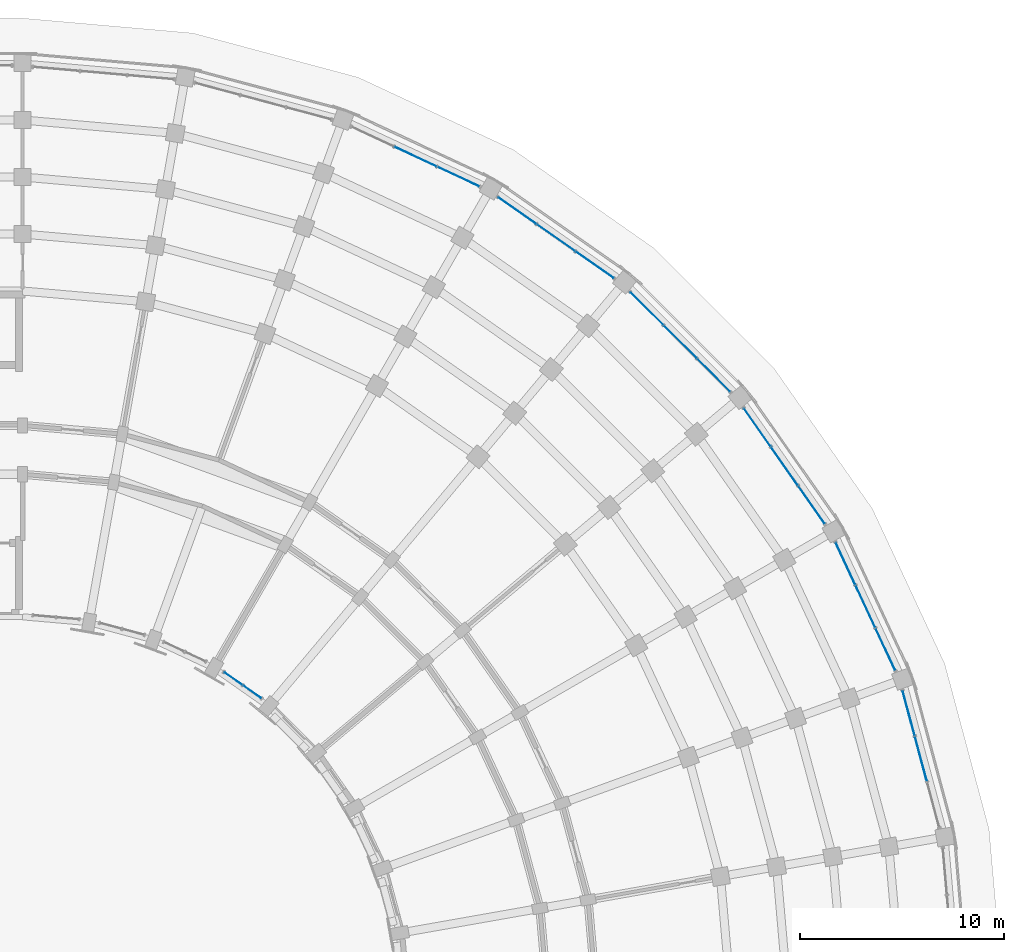
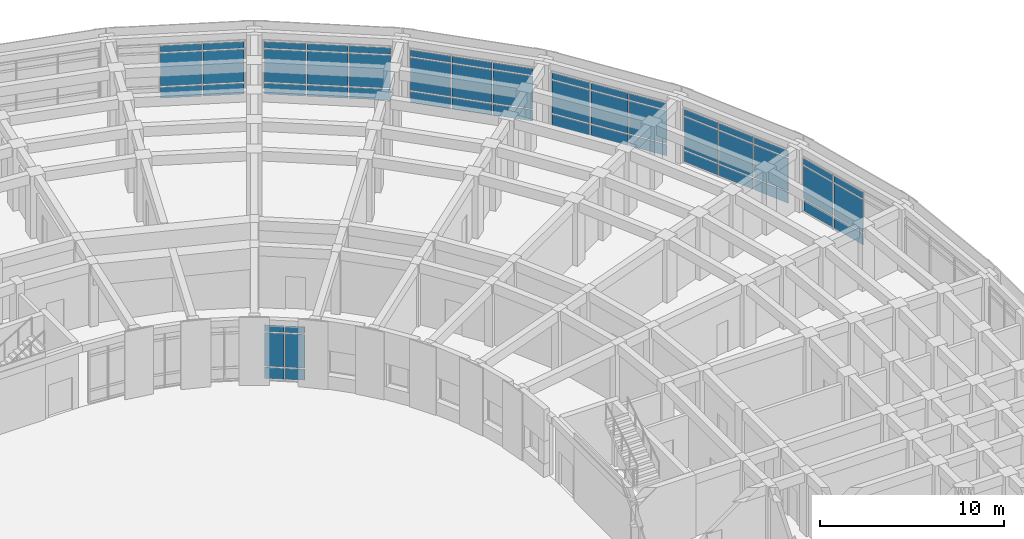
# One storey, part 72 of 135: 54 plates, 7 elements without a shape of their own.
"""IFC4 building model written with IfcOpenShell, lengths in metres."""

from ifc_helpers import new_model, si_unit, direction, frame, origin, origin_2d, place, context, subcontext, project, spatial, rectangle, extrude, material, layer, layer_set, type_object, element, aggregate, save


model = new_model("IFC4")

# Units and contexts
model_context = context("Model", 3, precision=1e-05, world=origin(), true_north=direction((0.0, 1.0)))
body_context = subcontext(model_context, "Body", "Model", "MODEL_VIEW")
ifc_project = project(units=[si_unit("LENGTHUNIT", "METRE"), si_unit("AREAUNIT", "SQUARE_METRE"), si_unit("VOLUMEUNIT", "CUBIC_METRE"), si_unit("PLANEANGLEUNIT", "RADIAN"), si_unit("MASSUNIT", "GRAM", prefix="KILO")], contexts=[model_context])

# Site, building, storey
site_placement = place(None, origin())
site = spatial("IfcSite", under=ifc_project, at=site_placement, CompositionType="ELEMENT")
building_placement = place(site_placement, origin())
building = spatial("IfcBuilding", under=site, at=building_placement, Name="Kiranvali Square Residences", CompositionType="ELEMENT")
storey_placement = place(building_placement, origin())
storey = spatial("IfcBuildingStorey", under=building, at=storey_placement, Name="L00", CompositionType="ELEMENT", Elevation=0.0)

# Curtain wall, plates
ifc_material_1 = material(Name="Anodised bronze aluminium framing", Category="aluminium")
curtain_wall_type = type_object("IfcCurtainWallType", Name="CW-RET-SHOP", PredefinedType="USERDEFINED", material=ifc_material_1)
curtain_wall_1_placement = place(storey_placement, origin())
curtain_wall_1 = element("IfcCurtainWall", 1, at=curtain_wall_1_placement, inside=storey, type_object=curtain_wall_type, Name="Block B L00 rounded-corner arcade curtain wall 3", ObjectType="CURTAIN WALL", PredefinedType="USERDEFINED")
ifc_material_2 = material(Name="Solar-control low-e double glazing", Category="glass")
ifc_layer_1 = layer(ifc_material_2, 0.028076171875)
ifc_layer_set_1 = layer_set([ifc_layer_1], Name="Solar-control low-e double glazing")
plate_type_1 = type_object("IfcPlateType", Name="PLT-CW-GLZ", PredefinedType="CURTAIN_PANEL", material=ifc_layer_set_1)
plate_1_placement = place(storey_placement, frame((139.10302734375, 129.195556640625, 0.89013671875), z_axis=(0.0, 0.0, 1.0), x_axis=(0.906307787037, -0.422618261741, 0.0)))
plate_1 = element("IfcPlate", 2, at=plate_1_placement, type_object=plate_type_1, Name="CW-B-L00-CRV-02 glazed panel 2.2", PredefinedType="CURTAIN_PANEL", context=body_context, shape_type="SweptSolid", body=[
    extrude(rectangle(XDim=2.239501953125, YDim=0.028076171875, at=origin_2d()), origin(), (0.0, 0.0, 1.0), 2.169921875),
])
plate_2_placement = place(storey_placement, frame((139.10302734375, 129.195556640625, 3.14013671875), z_axis=(0.0, 0.0, 1.0), x_axis=(0.906307787037, -0.422618261741, 0.0)))
plate_2 = element("IfcPlate", 3, at=plate_2_placement, type_object=plate_type_1, Name="CW-B-L00-CRV-02 glazed panel 2.3", PredefinedType="CURTAIN_PANEL", context=body_context, shape_type="SweptSolid", body=[
    extrude(rectangle(XDim=2.239501953125, YDim=0.028076171875, at=origin_2d()), origin(), (0.0, 0.0, 1.0), 0.429931640625),
])
plate_3_placement = place(storey_placement, frame((141.205078125, 128.21533203125, 0.89013671875), z_axis=(0.0, 0.0, 1.0), x_axis=(0.906307787037, -0.422618261741, 0.0)))
plate_3 = element("IfcPlate", 4, at=plate_3_placement, type_object=plate_type_1, Name="CW-B-L00-CRV-02 glazed panel 3.2", PredefinedType="CURTAIN_PANEL", context=body_context, shape_type="SweptSolid", body=[
    extrude(rectangle(XDim=2.239501953125, YDim=0.028076171875, at=origin_2d()), origin(), (0.0, 0.0, 1.0), 2.169921875),
])
plate_4_placement = place(storey_placement, frame((141.205078125, 128.21533203125, 3.14013671875), z_axis=(0.0, 0.0, 1.0), x_axis=(0.906307787037, -0.422618261741, 0.0)))
plate_4 = element("IfcPlate", 5, at=plate_4_placement, type_object=plate_type_1, Name="CW-B-L00-CRV-02 glazed panel 3.3", PredefinedType="CURTAIN_PANEL", context=body_context, shape_type="SweptSolid", body=[
    extrude(rectangle(XDim=2.239501953125, YDim=0.028076171875, at=origin_2d()), origin(), (0.0, 0.0, 1.0), 0.429931640625),
])

curtain_wall_2_placement = place(storey_placement, origin())
curtain_wall_2 = element("IfcCurtainWall", 6, at=curtain_wall_2_placement, inside=storey, type_object=curtain_wall_type, Name="Block B L00 rounded-corner arcade curtain wall 4", ObjectType="CURTAIN WALL", PredefinedType="USERDEFINED")
plate_5_placement = place(storey_placement, frame((144.09814453125, 126.545166015625, 0.89013671875), z_axis=(0.0, 0.0, 1.0), x_axis=(0.819152044289, -0.573576436351, 0.0)))
plate_5 = element("IfcPlate", 7, at=plate_5_placement, type_object=plate_type_1, Name="CW-B-L00-CRV-03 glazed panel 1.2", PredefinedType="CURTAIN_PANEL", context=body_context, shape_type="SweptSolid", body=[
    extrude(rectangle(XDim=2.239501953125, YDim=0.028076171875, at=origin_2d()), origin(), (0.0, 0.0, 1.0), 2.169921875),
])
plate_6_placement = place(storey_placement, frame((144.09814453125, 126.545166015625, 3.14013671875), z_axis=(0.0, 0.0, 1.0), x_axis=(0.819152044289, -0.573576436351, 0.0)))
plate_6 = element("IfcPlate", 8, at=plate_6_placement, type_object=plate_type_1, Name="CW-B-L00-CRV-03 glazed panel 1.3", PredefinedType="CURTAIN_PANEL", context=body_context, shape_type="SweptSolid", body=[
    extrude(rectangle(XDim=2.239501953125, YDim=0.028076171875, at=origin_2d()), origin(), (0.0, 0.0, 1.0), 0.429931640625),
])
plate_7_placement = place(storey_placement, frame((145.998046875, 125.21484375, 0.89013671875), z_axis=(0.0, 0.0, 1.0), x_axis=(0.819152044289, -0.573576436351, 0.0)))
plate_7 = element("IfcPlate", 9, at=plate_7_placement, type_object=plate_type_1, Name="CW-B-L00-CRV-03 glazed panel 2.2", PredefinedType="CURTAIN_PANEL", context=body_context, shape_type="SweptSolid", body=[
    extrude(rectangle(XDim=2.239501953125, YDim=0.028076171875, at=origin_2d()), origin(), (0.0, 0.0, 1.0), 2.169921875),
])
plate_8_placement = place(storey_placement, frame((145.998046875, 125.21484375, 3.14013671875), z_axis=(0.0, 0.0, 1.0), x_axis=(0.819152044289, -0.573576436351, 0.0)))
plate_8 = element("IfcPlate", 10, at=plate_8_placement, type_object=plate_type_1, Name="CW-B-L00-CRV-03 glazed panel 2.3", PredefinedType="CURTAIN_PANEL", context=body_context, shape_type="SweptSolid", body=[
    extrude(rectangle(XDim=2.239501953125, YDim=0.028076171875, at=origin_2d()), origin(), (0.0, 0.0, 1.0), 0.429931640625),
])
plate_9_placement = place(storey_placement, frame((147.89794921875, 123.88427734375, 0.89013671875), z_axis=(0.0, 0.0, 1.0), x_axis=(0.819152044289, -0.573576436351, 0.0)))
plate_9 = element("IfcPlate", 11, at=plate_9_placement, type_object=plate_type_1, Name="CW-B-L00-CRV-03 glazed panel 3.2", PredefinedType="CURTAIN_PANEL", context=body_context, shape_type="SweptSolid", body=[
    extrude(rectangle(XDim=2.239501953125, YDim=0.028076171875, at=origin_2d()), origin(), (0.0, 0.0, 1.0), 2.169921875),
])
plate_10_placement = place(storey_placement, frame((147.89794921875, 123.88427734375, 3.14013671875), z_axis=(0.0, 0.0, 1.0), x_axis=(0.819152044289, -0.573576436351, 0.0)))
plate_10 = element("IfcPlate", 12, at=plate_10_placement, type_object=plate_type_1, Name="CW-B-L00-CRV-03 glazed panel 3.3", PredefinedType="CURTAIN_PANEL", context=body_context, shape_type="SweptSolid", body=[
    extrude(rectangle(XDim=2.239501953125, YDim=0.028076171875, at=origin_2d()), origin(), (0.0, 0.0, 1.0), 0.429931640625),
])

curtain_wall_3_placement = place(storey_placement, origin())
curtain_wall_3 = element("IfcCurtainWall", 13, at=curtain_wall_3_placement, inside=storey, type_object=curtain_wall_type, Name="Block B L00 rounded-corner arcade curtain wall 5", ObjectType="CURTAIN WALL", PredefinedType="USERDEFINED")
plate_11_placement = place(storey_placement, frame((150.45703125, 121.737060546875, 0.89013671875), z_axis=(0.0, 0.0, 1.0), x_axis=(0.707106781187, -0.707106781187, 0.0)))
plate_11 = element("IfcPlate", 14, at=plate_11_placement, type_object=plate_type_1, Name="CW-B-L00-CRV-04 glazed panel 1.2", PredefinedType="CURTAIN_PANEL", context=body_context, shape_type="SweptSolid", body=[
    extrude(rectangle(XDim=2.239501953125, YDim=0.028076171875, at=origin_2d()), origin(), (0.0, 0.0, 1.0), 2.169921875),
])
plate_12_placement = place(storey_placement, frame((150.45703125, 121.737060546875, 3.14013671875), z_axis=(0.0, 0.0, 1.0), x_axis=(0.707106781187, -0.707106781187, 0.0)))
plate_12 = element("IfcPlate", 15, at=plate_12_placement, type_object=plate_type_1, Name="CW-B-L00-CRV-04 glazed panel 1.3", PredefinedType="CURTAIN_PANEL", context=body_context, shape_type="SweptSolid", body=[
    extrude(rectangle(XDim=2.239501953125, YDim=0.028076171875, at=origin_2d()), origin(), (0.0, 0.0, 1.0), 0.429931640625),
])
plate_13_placement = place(storey_placement, frame((152.09716796875, 120.09716796875, 0.89013671875), z_axis=(0.0, 0.0, 1.0), x_axis=(0.707106781187, -0.707106781187, 0.0)))
plate_13 = element("IfcPlate", 16, at=plate_13_placement, type_object=plate_type_1, Name="CW-B-L00-CRV-04 glazed panel 2.2", PredefinedType="CURTAIN_PANEL", context=body_context, shape_type="SweptSolid", body=[
    extrude(rectangle(XDim=2.239501953125, YDim=0.028076171875, at=origin_2d()), origin(), (0.0, 0.0, 1.0), 2.169921875),
])
plate_14_placement = place(storey_placement, frame((152.09716796875, 120.09716796875, 3.14013671875), z_axis=(0.0, 0.0, 1.0), x_axis=(0.707106781187, -0.707106781187, 0.0)))
plate_14 = element("IfcPlate", 17, at=plate_14_placement, type_object=plate_type_1, Name="CW-B-L00-CRV-04 glazed panel 2.3", PredefinedType="CURTAIN_PANEL", context=body_context, shape_type="SweptSolid", body=[
    extrude(rectangle(XDim=2.239501953125, YDim=0.028076171875, at=origin_2d()), origin(), (0.0, 0.0, 1.0), 0.429931640625),
])
plate_15_placement = place(storey_placement, frame((153.737060546875, 118.45703125, 0.89013671875), z_axis=(0.0, 0.0, 1.0), x_axis=(0.707106781187, -0.707106781187, 0.0)))
plate_15 = element("IfcPlate", 18, at=plate_15_placement, type_object=plate_type_1, Name="CW-B-L00-CRV-04 glazed panel 3.2", PredefinedType="CURTAIN_PANEL", context=body_context, shape_type="SweptSolid", body=[
    extrude(rectangle(XDim=2.239501953125, YDim=0.028076171875, at=origin_2d()), origin(), (0.0, 0.0, 1.0), 2.169921875),
])
plate_16_placement = place(storey_placement, frame((153.737060546875, 118.45703125, 3.14013671875), z_axis=(0.0, 0.0, 1.0), x_axis=(0.707106781187, -0.707106781187, 0.0)))
plate_16 = element("IfcPlate", 19, at=plate_16_placement, type_object=plate_type_1, Name="CW-B-L00-CRV-04 glazed panel 3.3", PredefinedType="CURTAIN_PANEL", context=body_context, shape_type="SweptSolid", body=[
    extrude(rectangle(XDim=2.239501953125, YDim=0.028076171875, at=origin_2d()), origin(), (0.0, 0.0, 1.0), 0.429931640625),
])

curtain_wall_4_placement = place(storey_placement, origin())
curtain_wall_4 = element("IfcCurtainWall", 20, at=curtain_wall_4_placement, inside=storey, type_object=curtain_wall_type, Name="Block B L00 rounded-corner arcade curtain wall 6", ObjectType="CURTAIN WALL", PredefinedType="USERDEFINED")
plate_17_placement = place(storey_placement, frame((155.88427734375, 115.89794921875, 0.89013671875), z_axis=(0.0, 0.0, 1.0), x_axis=(0.573576436351, -0.819152044289, 0.0)))
plate_17 = element("IfcPlate", 21, at=plate_17_placement, type_object=plate_type_1, Name="CW-B-L00-CRV-05 glazed panel 1.2", PredefinedType="CURTAIN_PANEL", context=body_context, shape_type="SweptSolid", body=[
    extrude(rectangle(XDim=2.239501953125, YDim=0.028076171875, at=origin_2d()), origin(), (0.0, 0.0, 1.0), 2.169921875),
])
plate_18_placement = place(storey_placement, frame((155.88427734375, 115.89794921875, 3.14013671875), z_axis=(0.0, 0.0, 1.0), x_axis=(0.573576436351, -0.819152044289, 0.0)))
plate_18 = element("IfcPlate", 22, at=plate_18_placement, type_object=plate_type_1, Name="CW-B-L00-CRV-05 glazed panel 1.3", PredefinedType="CURTAIN_PANEL", context=body_context, shape_type="SweptSolid", body=[
    extrude(rectangle(XDim=2.239501953125, YDim=0.028076171875, at=origin_2d()), origin(), (0.0, 0.0, 1.0), 0.429931640625),
])
plate_19_placement = place(storey_placement, frame((157.21484375, 113.998046875, 0.89013671875), z_axis=(0.0, 0.0, 1.0), x_axis=(0.573576436351, -0.819152044289, 0.0)))
plate_19 = element("IfcPlate", 23, at=plate_19_placement, type_object=plate_type_1, Name="CW-B-L00-CRV-05 glazed panel 2.2", PredefinedType="CURTAIN_PANEL", context=body_context, shape_type="SweptSolid", body=[
    extrude(rectangle(XDim=2.239501953125, YDim=0.028076171875, at=origin_2d()), origin(), (0.0, 0.0, 1.0), 2.169921875),
])
plate_20_placement = place(storey_placement, frame((157.21484375, 113.998046875, 3.14013671875), z_axis=(0.0, 0.0, 1.0), x_axis=(0.573576436351, -0.819152044289, 0.0)))
plate_20 = element("IfcPlate", 24, at=plate_20_placement, type_object=plate_type_1, Name="CW-B-L00-CRV-05 glazed panel 2.3", PredefinedType="CURTAIN_PANEL", context=body_context, shape_type="SweptSolid", body=[
    extrude(rectangle(XDim=2.239501953125, YDim=0.028076171875, at=origin_2d()), origin(), (0.0, 0.0, 1.0), 0.429931640625),
])
plate_21_placement = place(storey_placement, frame((158.545166015625, 112.09814453125, 0.89013671875), z_axis=(0.0, 0.0, 1.0), x_axis=(0.573576436351, -0.819152044289, 0.0)))
plate_21 = element("IfcPlate", 25, at=plate_21_placement, type_object=plate_type_1, Name="CW-B-L00-CRV-05 glazed panel 3.2", PredefinedType="CURTAIN_PANEL", context=body_context, shape_type="SweptSolid", body=[
    extrude(rectangle(XDim=2.239501953125, YDim=0.028076171875, at=origin_2d()), origin(), (0.0, 0.0, 1.0), 2.169921875),
])
plate_22_placement = place(storey_placement, frame((158.545166015625, 112.09814453125, 3.14013671875), z_axis=(0.0, 0.0, 1.0), x_axis=(0.573576436351, -0.819152044289, 0.0)))
plate_22 = element("IfcPlate", 26, at=plate_22_placement, type_object=plate_type_1, Name="CW-B-L00-CRV-05 glazed panel 3.3", PredefinedType="CURTAIN_PANEL", context=body_context, shape_type="SweptSolid", body=[
    extrude(rectangle(XDim=2.239501953125, YDim=0.028076171875, at=origin_2d()), origin(), (0.0, 0.0, 1.0), 0.429931640625),
])

curtain_wall_5_placement = place(storey_placement, origin())
curtain_wall_5 = element("IfcCurtainWall", 27, at=curtain_wall_5_placement, inside=storey, type_object=curtain_wall_type, Name="Block B L00 rounded-corner arcade curtain wall 7", ObjectType="CURTAIN WALL", PredefinedType="USERDEFINED")
plate_23_placement = place(storey_placement, frame((160.21533203125, 109.205078125, 0.89013671875), z_axis=(0.0, 0.0, 1.0), x_axis=(0.422618261741, -0.906307787037, 0.0)))
plate_23 = element("IfcPlate", 28, at=plate_23_placement, type_object=plate_type_1, Name="CW-B-L00-CRV-06 glazed panel 1.2", PredefinedType="CURTAIN_PANEL", context=body_context, shape_type="SweptSolid", body=[
    extrude(rectangle(XDim=2.239501953125, YDim=0.028076171875, at=origin_2d()), origin(), (0.0, 0.0, 1.0), 2.169921875),
])
plate_24_placement = place(storey_placement, frame((160.21533203125, 109.205078125, 3.14013671875), z_axis=(0.0, 0.0, 1.0), x_axis=(0.422618261741, -0.906307787037, 0.0)))
plate_24 = element("IfcPlate", 29, at=plate_24_placement, type_object=plate_type_1, Name="CW-B-L00-CRV-06 glazed panel 1.3", PredefinedType="CURTAIN_PANEL", context=body_context, shape_type="SweptSolid", body=[
    extrude(rectangle(XDim=2.239501953125, YDim=0.028076171875, at=origin_2d()), origin(), (0.0, 0.0, 1.0), 0.429931640625),
])
plate_25_placement = place(storey_placement, frame((161.195556640625, 107.10302734375, 0.89013671875), z_axis=(0.0, 0.0, 1.0), x_axis=(0.422618261741, -0.906307787037, 0.0)))
plate_25 = element("IfcPlate", 30, at=plate_25_placement, type_object=plate_type_1, Name="CW-B-L00-CRV-06 glazed panel 2.2", PredefinedType="CURTAIN_PANEL", context=body_context, shape_type="SweptSolid", body=[
    extrude(rectangle(XDim=2.239501953125, YDim=0.028076171875, at=origin_2d()), origin(), (0.0, 0.0, 1.0), 2.169921875),
])
plate_26_placement = place(storey_placement, frame((161.195556640625, 107.10302734375, 3.14013671875), z_axis=(0.0, 0.0, 1.0), x_axis=(0.422618261741, -0.906307787037, 0.0)))
plate_26 = element("IfcPlate", 31, at=plate_26_placement, type_object=plate_type_1, Name="CW-B-L00-CRV-06 glazed panel 2.3", PredefinedType="CURTAIN_PANEL", context=body_context, shape_type="SweptSolid", body=[
    extrude(rectangle(XDim=2.239501953125, YDim=0.028076171875, at=origin_2d()), origin(), (0.0, 0.0, 1.0), 0.429931640625),
])
plate_27_placement = place(storey_placement, frame((162.17578125, 105.0009765625, 0.89013671875), z_axis=(0.0, 0.0, 1.0), x_axis=(0.422618261741, -0.906307787037, 0.0)))
plate_27 = element("IfcPlate", 32, at=plate_27_placement, type_object=plate_type_1, Name="CW-B-L00-CRV-06 glazed panel 3.2", PredefinedType="CURTAIN_PANEL", context=body_context, shape_type="SweptSolid", body=[
    extrude(rectangle(XDim=2.239501953125, YDim=0.028076171875, at=origin_2d()), origin(), (0.0, 0.0, 1.0), 2.169921875),
])
plate_28_placement = place(storey_placement, frame((162.17578125, 105.0009765625, 3.14013671875), z_axis=(0.0, 0.0, 1.0), x_axis=(0.422618261741, -0.906307787037, 0.0)))
plate_28 = element("IfcPlate", 33, at=plate_28_placement, type_object=plate_type_1, Name="CW-B-L00-CRV-06 glazed panel 3.3", PredefinedType="CURTAIN_PANEL", context=body_context, shape_type="SweptSolid", body=[
    extrude(rectangle(XDim=2.239501953125, YDim=0.028076171875, at=origin_2d()), origin(), (0.0, 0.0, 1.0), 0.429931640625),
])

curtain_wall_6_placement = place(storey_placement, origin())
curtain_wall_6 = element("IfcCurtainWall", 34, at=curtain_wall_6_placement, inside=storey, type_object=curtain_wall_type, Name="Block B L00 rounded-corner arcade curtain wall 8", ObjectType="CURTAIN WALL", PredefinedType="USERDEFINED")
plate_29_placement = place(storey_placement, frame((163.318359375, 101.862060546875, 0.89013671875), z_axis=(0.0, 0.0, 1.0), x_axis=(0.258819045103, -0.965925826289, 0.0)))
plate_29 = element("IfcPlate", 35, at=plate_29_placement, type_object=plate_type_1, Name="CW-B-L00-CRV-07 glazed panel 1.2", PredefinedType="CURTAIN_PANEL", context=body_context, shape_type="SweptSolid", body=[
    extrude(rectangle(XDim=2.239501953125, YDim=0.028076171875, at=origin_2d()), origin(), (0.0, 0.0, 1.0), 2.169921875),
])
plate_30_placement = place(storey_placement, frame((163.318359375, 101.862060546875, 3.14013671875), z_axis=(0.0, 0.0, 1.0), x_axis=(0.258819045103, -0.965925826289, 0.0)))
plate_30 = element("IfcPlate", 36, at=plate_30_placement, type_object=plate_type_1, Name="CW-B-L00-CRV-07 glazed panel 1.3", PredefinedType="CURTAIN_PANEL", context=body_context, shape_type="SweptSolid", body=[
    extrude(rectangle(XDim=2.239501953125, YDim=0.028076171875, at=origin_2d()), origin(), (0.0, 0.0, 1.0), 0.429931640625),
])
plate_31_placement = place(storey_placement, frame((163.918701171875, 99.62158203125, 0.89013671875), z_axis=(0.0, 0.0, 1.0), x_axis=(0.258819045103, -0.965925826289, 0.0)))
plate_31 = element("IfcPlate", 37, at=plate_31_placement, type_object=plate_type_1, Name="CW-B-L00-CRV-07 glazed panel 2.2", PredefinedType="CURTAIN_PANEL", context=body_context, shape_type="SweptSolid", body=[
    extrude(rectangle(XDim=2.239501953125, YDim=0.028076171875, at=origin_2d()), origin(), (0.0, 0.0, 1.0), 2.169921875),
])
plate_32_placement = place(storey_placement, frame((163.918701171875, 99.62158203125, 3.14013671875), z_axis=(0.0, 0.0, 1.0), x_axis=(0.258819045103, -0.965925826289, 0.0)))
plate_32 = element("IfcPlate", 38, at=plate_32_placement, type_object=plate_type_1, Name="CW-B-L00-CRV-07 glazed panel 2.3", PredefinedType="CURTAIN_PANEL", context=body_context, shape_type="SweptSolid", body=[
    extrude(rectangle(XDim=2.239501953125, YDim=0.028076171875, at=origin_2d()), origin(), (0.0, 0.0, 1.0), 0.429931640625),
])

curtain_wall_7_placement = place(storey_placement, origin())
curtain_wall_7 = element("IfcCurtainWall", 39, at=curtain_wall_7_placement, inside=storey, type_object=curtain_wall_type, Name="Block B L00 garden foyer curtain wall 4", ObjectType="CURTAIN WALL", PredefinedType="USERDEFINED")
plate_33_placement = place(storey_placement, frame((130.144775390625, 103.566162109375, 0.89013671875), z_axis=(0.0, 0.0, 1.0), x_axis=(0.819152044289, -0.573576436351, 0.0)))
plate_33 = element("IfcPlate", 40, at=plate_33_placement, type_object=plate_type_1, Name="CW-B-L00-GDN-03 glazed panel 1.2", PredefinedType="CURTAIN_PANEL", context=body_context, shape_type="SweptSolid", body=[
    extrude(rectangle(XDim=1.05859375, YDim=0.028076171875, at=origin_2d()), origin(), (0.0, 0.0, 1.0), 2.219970703125),
])
plate_34_placement = place(storey_placement, frame((130.144775390625, 103.566162109375, 3.18994140625), z_axis=(0.0, 0.0, 1.0), x_axis=(0.819152044289, -0.573576436351, 0.0)))
plate_34 = element("IfcPlate", 41, at=plate_34_placement, type_object=plate_type_1, Name="CW-B-L00-GDN-03 glazed panel 1.3", PredefinedType="CURTAIN_PANEL", context=body_context, shape_type="SweptSolid", body=[
    extrude(rectangle(XDim=1.05859375, YDim=0.028076171875, at=origin_2d()), origin(), (0.0, 0.0, 1.0), 0.429931640625),
])
plate_35_placement = place(storey_placement, frame((131.077392578125, 102.913330078125, 0.89013671875), z_axis=(0.0, 0.0, 1.0), x_axis=(0.819152044289, -0.573576436351, 0.0)))
plate_35 = element("IfcPlate", 42, at=plate_35_placement, type_object=plate_type_1, Name="CW-B-L00-GDN-03 glazed panel 2.2", PredefinedType="CURTAIN_PANEL", context=body_context, shape_type="SweptSolid", body=[
    extrude(rectangle(XDim=1.05859375, YDim=0.028076171875, at=origin_2d()), origin(), (0.0, 0.0, 1.0), 2.219970703125),
])
plate_36_placement = place(storey_placement, frame((131.077392578125, 102.913330078125, 3.18994140625), z_axis=(0.0, 0.0, 1.0), x_axis=(0.819152044289, -0.573576436351, 0.0)))
plate_36 = element("IfcPlate", 43, at=plate_36_placement, type_object=plate_type_1, Name="CW-B-L00-GDN-03 glazed panel 2.3", PredefinedType="CURTAIN_PANEL", context=body_context, shape_type="SweptSolid", body=[
    extrude(rectangle(XDim=1.05859375, YDim=0.028076171875, at=origin_2d()), origin(), (0.0, 0.0, 1.0), 0.429931640625),
])

# Plate
ifc_material_3 = material(Name="Honed Porbandar limestone ashlar facade cladding", Category="masonry")
ifc_layer_2 = layer(ifc_material_3, 0.02392578125)
ifc_layer_set_2 = layer_set([ifc_layer_2], Name="Honed Porbandar limestone ashlar facade cladding")
plate_type_2 = type_object("IfcPlateType", Name="PLT-CW-SPN", PredefinedType="SHEET", material=ifc_layer_set_2)
plate_37_placement = place(storey_placement, frame((139.10302734375, 129.195556640625, 0.080078125), z_axis=(0.0, 0.0, 1.0), x_axis=(0.906307787037, -0.422618261741, 0.0)))
plate_37 = element("IfcPlate", 44, at=plate_37_placement, type_object=plate_type_2, Name="CW-B-L00-CRV-02 spandrel panel 2.1", PredefinedType="SHEET", context=body_context, shape_type="SweptSolid", body=[
    extrude(rectangle(XDim=2.239501953125, YDim=0.02392578125, at=origin_2d()), origin(), (0.0, 0.0, 1.0), 0.72998046875),
])

plate_38_placement = place(storey_placement, frame((141.205078125, 128.21533203125, 0.080078125), z_axis=(0.0, 0.0, 1.0), x_axis=(0.906307787037, -0.422618261741, 0.0)))
plate_38 = element("IfcPlate", 45, at=plate_38_placement, type_object=plate_type_2, Name="CW-B-L00-CRV-02 spandrel panel 3.1", PredefinedType="SHEET", context=body_context, shape_type="SweptSolid", body=[
    extrude(rectangle(XDim=2.239501953125, YDim=0.02392578125, at=origin_2d()), origin(), (0.0, 0.0, 1.0), 0.72998046875),
])

aggregate(curtain_wall_1, [plate_37, plate_1, plate_2, plate_38, plate_3, plate_4])

plate_39_placement = place(storey_placement, frame((144.09814453125, 126.545166015625, 0.080078125), z_axis=(0.0, 0.0, 1.0), x_axis=(0.819152044289, -0.573576436351, 0.0)))
plate_39 = element("IfcPlate", 46, at=plate_39_placement, type_object=plate_type_2, Name="CW-B-L00-CRV-03 spandrel panel 1.1", PredefinedType="SHEET", context=body_context, shape_type="SweptSolid", body=[
    extrude(rectangle(XDim=2.239501953125, YDim=0.02392578125, at=origin_2d()), origin(), (0.0, 0.0, 1.0), 0.72998046875),
])

plate_40_placement = place(storey_placement, frame((145.998046875, 125.21484375, 0.080078125), z_axis=(0.0, 0.0, 1.0), x_axis=(0.819152044289, -0.573576436351, 0.0)))
plate_40 = element("IfcPlate", 47, at=plate_40_placement, type_object=plate_type_2, Name="CW-B-L00-CRV-03 spandrel panel 2.1", PredefinedType="SHEET", context=body_context, shape_type="SweptSolid", body=[
    extrude(rectangle(XDim=2.239501953125, YDim=0.02392578125, at=origin_2d()), origin(), (0.0, 0.0, 1.0), 0.72998046875),
])

plate_41_placement = place(storey_placement, frame((147.89794921875, 123.88427734375, 0.080078125), z_axis=(0.0, 0.0, 1.0), x_axis=(0.819152044289, -0.573576436351, 0.0)))
plate_41 = element("IfcPlate", 48, at=plate_41_placement, type_object=plate_type_2, Name="CW-B-L00-CRV-03 spandrel panel 3.1", PredefinedType="SHEET", context=body_context, shape_type="SweptSolid", body=[
    extrude(rectangle(XDim=2.239501953125, YDim=0.02392578125, at=origin_2d()), origin(), (0.0, 0.0, 1.0), 0.72998046875),
])

aggregate(curtain_wall_2, [plate_39, plate_5, plate_6, plate_40, plate_7, plate_8, plate_41, plate_9, plate_10])

plate_42_placement = place(storey_placement, frame((150.45703125, 121.737060546875, 0.080078125), z_axis=(0.0, 0.0, 1.0), x_axis=(0.707106781187, -0.707106781187, 0.0)))
plate_42 = element("IfcPlate", 49, at=plate_42_placement, type_object=plate_type_2, Name="CW-B-L00-CRV-04 spandrel panel 1.1", PredefinedType="SHEET", context=body_context, shape_type="SweptSolid", body=[
    extrude(rectangle(XDim=2.239501953125, YDim=0.02392578125, at=origin_2d()), origin(), (0.0, 0.0, 1.0), 0.72998046875),
])

plate_43_placement = place(storey_placement, frame((152.09716796875, 120.09716796875, 0.080078125), z_axis=(0.0, 0.0, 1.0), x_axis=(0.707106781187, -0.707106781187, 0.0)))
plate_43 = element("IfcPlate", 50, at=plate_43_placement, type_object=plate_type_2, Name="CW-B-L00-CRV-04 spandrel panel 2.1", PredefinedType="SHEET", context=body_context, shape_type="SweptSolid", body=[
    extrude(rectangle(XDim=2.239501953125, YDim=0.02392578125, at=origin_2d()), origin(), (0.0, 0.0, 1.0), 0.72998046875),
])

plate_44_placement = place(storey_placement, frame((153.737060546875, 118.45703125, 0.080078125), z_axis=(0.0, 0.0, 1.0), x_axis=(0.707106781187, -0.707106781187, 0.0)))
plate_44 = element("IfcPlate", 51, at=plate_44_placement, type_object=plate_type_2, Name="CW-B-L00-CRV-04 spandrel panel 3.1", PredefinedType="SHEET", context=body_context, shape_type="SweptSolid", body=[
    extrude(rectangle(XDim=2.239501953125, YDim=0.02392578125, at=origin_2d()), origin(), (0.0, 0.0, 1.0), 0.72998046875),
])

aggregate(curtain_wall_3, [plate_42, plate_11, plate_12, plate_43, plate_13, plate_14, plate_44, plate_15, plate_16])

plate_45_placement = place(storey_placement, frame((155.88427734375, 115.89794921875, 0.080078125), z_axis=(0.0, 0.0, 1.0), x_axis=(0.573576436351, -0.819152044289, 0.0)))
plate_45 = element("IfcPlate", 52, at=plate_45_placement, type_object=plate_type_2, Name="CW-B-L00-CRV-05 spandrel panel 1.1", PredefinedType="SHEET", context=body_context, shape_type="SweptSolid", body=[
    extrude(rectangle(XDim=2.239501953125, YDim=0.02392578125, at=origin_2d()), origin(), (0.0, 0.0, 1.0), 0.72998046875),
])

plate_46_placement = place(storey_placement, frame((157.21484375, 113.998046875, 0.080078125), z_axis=(0.0, 0.0, 1.0), x_axis=(0.573576436351, -0.819152044289, 0.0)))
plate_46 = element("IfcPlate", 53, at=plate_46_placement, type_object=plate_type_2, Name="CW-B-L00-CRV-05 spandrel panel 2.1", PredefinedType="SHEET", context=body_context, shape_type="SweptSolid", body=[
    extrude(rectangle(XDim=2.239501953125, YDim=0.02392578125, at=origin_2d()), origin(), (0.0, 0.0, 1.0), 0.72998046875),
])

plate_47_placement = place(storey_placement, frame((158.545166015625, 112.09814453125, 0.080078125), z_axis=(0.0, 0.0, 1.0), x_axis=(0.573576436351, -0.819152044289, 0.0)))
plate_47 = element("IfcPlate", 54, at=plate_47_placement, type_object=plate_type_2, Name="CW-B-L00-CRV-05 spandrel panel 3.1", PredefinedType="SHEET", context=body_context, shape_type="SweptSolid", body=[
    extrude(rectangle(XDim=2.239501953125, YDim=0.02392578125, at=origin_2d()), origin(), (0.0, 0.0, 1.0), 0.72998046875),
])

aggregate(curtain_wall_4, [plate_45, plate_17, plate_18, plate_46, plate_19, plate_20, plate_47, plate_21, plate_22])

plate_48_placement = place(storey_placement, frame((160.21533203125, 109.205078125, 0.080078125), z_axis=(0.0, 0.0, 1.0), x_axis=(0.422618261741, -0.906307787037, 0.0)))
plate_48 = element("IfcPlate", 55, at=plate_48_placement, type_object=plate_type_2, Name="CW-B-L00-CRV-06 spandrel panel 1.1", PredefinedType="SHEET", context=body_context, shape_type="SweptSolid", body=[
    extrude(rectangle(XDim=2.239501953125, YDim=0.02392578125, at=origin_2d()), origin(), (0.0, 0.0, 1.0), 0.72998046875),
])

plate_49_placement = place(storey_placement, frame((161.195556640625, 107.10302734375, 0.080078125), z_axis=(0.0, 0.0, 1.0), x_axis=(0.422618261741, -0.906307787037, 0.0)))
plate_49 = element("IfcPlate", 56, at=plate_49_placement, type_object=plate_type_2, Name="CW-B-L00-CRV-06 spandrel panel 2.1", PredefinedType="SHEET", context=body_context, shape_type="SweptSolid", body=[
    extrude(rectangle(XDim=2.239501953125, YDim=0.02392578125, at=origin_2d()), origin(), (0.0, 0.0, 1.0), 0.72998046875),
])

plate_50_placement = place(storey_placement, frame((162.17578125, 105.0009765625, 0.080078125), z_axis=(0.0, 0.0, 1.0), x_axis=(0.422618261741, -0.906307787037, 0.0)))
plate_50 = element("IfcPlate", 57, at=plate_50_placement, type_object=plate_type_2, Name="CW-B-L00-CRV-06 spandrel panel 3.1", PredefinedType="SHEET", context=body_context, shape_type="SweptSolid", body=[
    extrude(rectangle(XDim=2.239501953125, YDim=0.02392578125, at=origin_2d()), origin(), (0.0, 0.0, 1.0), 0.72998046875),
])

aggregate(curtain_wall_5, [plate_48, plate_23, plate_24, plate_49, plate_25, plate_26, plate_50, plate_27, plate_28])

plate_51_placement = place(storey_placement, frame((163.318359375, 101.862060546875, 0.080078125), z_axis=(0.0, 0.0, 1.0), x_axis=(0.258819045103, -0.965925826289, 0.0)))
plate_51 = element("IfcPlate", 58, at=plate_51_placement, type_object=plate_type_2, Name="CW-B-L00-CRV-07 spandrel panel 1.1", PredefinedType="SHEET", context=body_context, shape_type="SweptSolid", body=[
    extrude(rectangle(XDim=2.239501953125, YDim=0.02392578125, at=origin_2d()), origin(), (0.0, 0.0, 1.0), 0.72998046875),
])

plate_52_placement = place(storey_placement, frame((163.918701171875, 99.62158203125, 0.080078125), z_axis=(0.0, 0.0, 1.0), x_axis=(0.258819045103, -0.965925826289, 0.0)))
plate_52 = element("IfcPlate", 59, at=plate_52_placement, type_object=plate_type_2, Name="CW-B-L00-CRV-07 spandrel panel 2.1", PredefinedType="SHEET", context=body_context, shape_type="SweptSolid", body=[
    extrude(rectangle(XDim=2.239501953125, YDim=0.02392578125, at=origin_2d()), origin(), (0.0, 0.0, 1.0), 0.72998046875),
])

aggregate(curtain_wall_6, [plate_51, plate_29, plate_30, plate_52, plate_31, plate_32])

plate_53_placement = place(storey_placement, frame((130.144775390625, 103.566162109375, 0.080078125), z_axis=(0.0, 0.0, 1.0), x_axis=(0.819152044289, -0.573576436351, 0.0)))
plate_53 = element("IfcPlate", 60, at=plate_53_placement, type_object=plate_type_2, Name="CW-B-L00-GDN-03 spandrel panel 1.1", PredefinedType="SHEET", context=body_context, shape_type="SweptSolid", body=[
    extrude(rectangle(XDim=1.05859375, YDim=0.02392578125, at=origin_2d()), origin(), (0.0, 0.0, 1.0), 0.72998046875),
])

plate_54_placement = place(storey_placement, frame((131.077392578125, 102.913330078125, 0.080078125), z_axis=(0.0, 0.0, 1.0), x_axis=(0.819152044289, -0.573576436351, 0.0)))
plate_54 = element("IfcPlate", 61, at=plate_54_placement, type_object=plate_type_2, Name="CW-B-L00-GDN-03 spandrel panel 2.1", PredefinedType="SHEET", context=body_context, shape_type="SweptSolid", body=[
    extrude(rectangle(XDim=1.05859375, YDim=0.02392578125, at=origin_2d()), origin(), (0.0, 0.0, 1.0), 0.72998046875),
])

aggregate(curtain_wall_7, [plate_53, plate_33, plate_34, plate_54, plate_35, plate_36])

save(model, "model.ifc")
